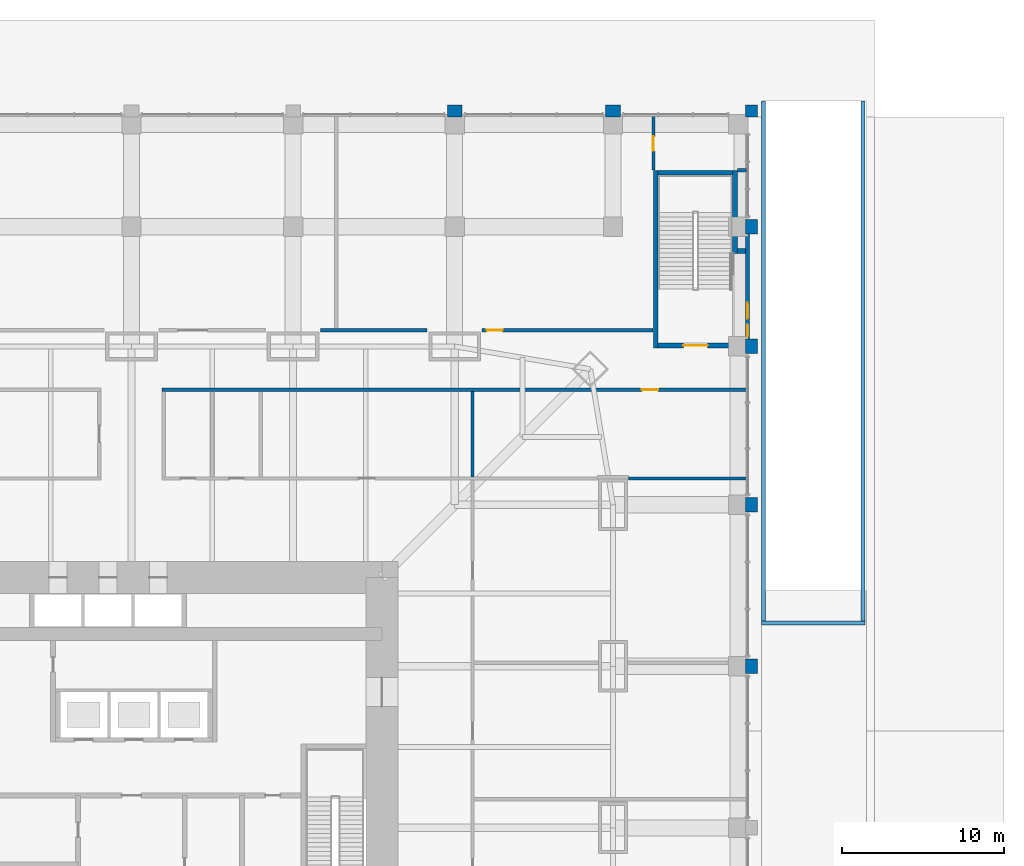
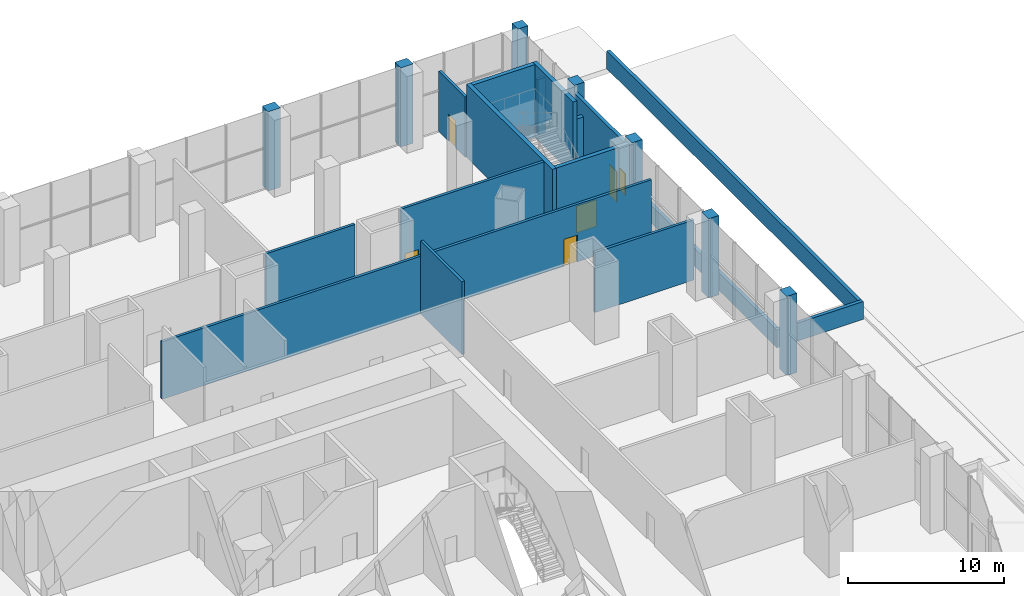
# One storey, part 27 of 31: 23 walls, 5 doors, 1 window, 6 openings.
"""IFC4 building model written with IfcOpenShell, lengths in metres."""

from ifc_helpers import new_model, si_unit, direction, frame, frame_2d, origin, place, context, subcontext, project, spatial, rectangle, extrude, material, layer, layer_set, type_object, element, fill, save


model = new_model("IFC4")

# Units and contexts
model_context = context("Model", 3, precision=1e-05, world=origin(), true_north=direction((0.0, 1.0)))
body_context = subcontext(model_context, "Body", "Model", "MODEL_VIEW")
ifc_project = project(units=[si_unit("LENGTHUNIT", "METRE"), si_unit("AREAUNIT", "SQUARE_METRE"), si_unit("VOLUMEUNIT", "CUBIC_METRE"), si_unit("PLANEANGLEUNIT", "RADIAN"), si_unit("MASSUNIT", "GRAM", prefix="KILO")], contexts=[model_context])

# Site, building, storey
site_placement = place(None, origin())
site = spatial("IfcSite", under=ifc_project, at=site_placement, CompositionType="ELEMENT")
building_placement = place(site_placement, origin())
building = spatial("IfcBuilding", under=site, at=building_placement, Name="Khuree Lantern Residences", CompositionType="ELEMENT")
storey_placement = place(building_placement, origin())
storey = spatial("IfcBuildingStorey", under=building, at=storey_placement, Name="L00", CompositionType="ELEMENT", Elevation=0.0)

# Walls
ifc_material_1 = material(Name="Dense concrete blockwork", Category="masonry")
ifc_layer_1 = layer(ifc_material_1, 0.300048828125)
ifc_layer_set_1 = layer_set([ifc_layer_1], Name="CORE PARTITION WALL CPW300 EI 120")
wall_type_1 = type_object("IfcWallType", Name="CORE PARTITION WALL CPW300 EI 120", PredefinedType="PARTITIONING", material=ifc_layer_set_1)
wall_1_placement = place(storey_placement, frame((38.0, 35.7060546875, 0.0), z_axis=(0.0, 0.0, 1.0), x_axis=(-1.0, 0.0, 0.0)))
element("IfcWall", 1, at=wall_1_placement, inside=storey, type_object=wall_type_1, Name="L00 STAIR ST4 WALL X", PredefinedType="PARTITIONING", context=body_context, shape_type="SweptSolid", body=[
    extrude(rectangle(XDim=0.5, YDim=0.300048828125, at=frame_2d((0.25, 0.0))), origin(), (0.0, 0.0, 1.0), 4.27001953125),
])
ifc_material_2 = material(Name="Flamed granite cladding on blockwork", Category="masonry")
ifc_layer_2 = layer(ifc_material_2, 0.75)
ifc_layer_set_2 = layer_set([ifc_layer_2], Name="PODIUM PIER PR1 900X750")
wall_type_2 = type_object("IfcWallType", Name="PODIUM PIER PR1 900X750", PredefinedType="SOLIDWALL", material=ifc_layer_set_2)
for number, where, z_axis, x_axis, name in (
    (2, (38.375, 9.550048828125, -0.199951171875), (0.0, 0.0, 1.0), (0.0, 1.0, 0.0), "L00 EAST FACE PIER 4"),
    (3, (38.375, 19.550048828125, -0.199951171875), (0.0, 0.0, 1.0), (0.0, 1.0, 0.0), "L00 EAST FACE PIER 5"),
    (4, (38.375, 29.35009765625, -0.199951171875), (0.0, 0.0, 1.0), (0.0, 1.0, 0.0), "L00 EAST FACE PIER 6"),
    (5, (38.375, 36.75, -0.199951171875), (0.0, 0.0, 1.0), (0.0, 1.0, 0.0), "L00 EAST FACE PIER 7"),
):
    element("IfcWall", number, at=place(storey_placement, frame(where, z_axis=z_axis, x_axis=x_axis)), inside=storey, type_object=wall_type_2, Name=name, PredefinedType="SOLIDWALL", context=body_context, shape_type="SweptSolid", body=[
        extrude(rectangle(XDim=0.89990234375, YDim=0.75, at=frame_2d((0.449951171875, 0.0))), origin(), (0.0, 0.0, 1.0), 6.199951171875),
    ])
wall_2_placement = place(storey_placement, frame((38.375, 44.0, -0.199951171875), z_axis=(0.0, 0.0, 1.0), x_axis=(0.0, 1.0, 0.0)))
element("IfcWall", 6, at=wall_2_placement, inside=storey, type_object=wall_type_2, Name="L00 EAST FACE PIER 8", PredefinedType="SOLIDWALL", context=body_context, shape_type="SweptSolid", body=[
    extrude(rectangle(XDim=0.75, YDim=0.75, at=frame_2d((0.375, 0.0))), origin(), (0.0, 0.0, 1.0), 6.199951171875),
])
for number, where, z_axis, x_axis, name in (
    (7, (30.25, 44.375, -0.199951171875), (0.0, 0.0, 1.0), (-1.0, 0.0, 0.0), "L00 NORTH FACE PIER 1"),
    (8, (20.449951171875, 44.375, -0.199951171875), (0.0, 0.0, 1.0), (-1.0, 0.0, 0.0), "L00 NORTH FACE PIER 2"),
):
    element("IfcWall", number, at=place(storey_placement, frame(where, z_axis=z_axis, x_axis=x_axis)), inside=storey, type_object=wall_type_2, Name=name, PredefinedType="SOLIDWALL", context=body_context, shape_type="SweptSolid", body=[
        extrude(rectangle(XDim=0.89990234375, YDim=0.75, at=frame_2d((0.449951171875, 0.0))), origin(), (0.0, 0.0, 1.0), 6.199951171875),
    ])

# Wall, openings, door, window
ifc_layer_3 = layer(ifc_material_2, 0.25)
ifc_layer_set_3 = layer_set([ifc_layer_3], Name="PODIUM STONE WALL SW1 250")
wall_type_3 = type_object("IfcWallType", Name="PODIUM STONE WALL SW1 250", PredefinedType="SOLIDWALL", material=ifc_layer_set_3)
wall_3_placement = place(storey_placement, frame((38.125, 30.25, -0.199951171875), z_axis=(0.0, 0.0, 1.0), x_axis=(0.0, 1.0, 0.0)))
wall_3 = element("IfcWall", 9, at=wall_3_placement, inside=storey, type_object=wall_type_3, Name="L00 EAST FACE BAY 7 STONE WALL", PredefinedType="SOLIDWALL", context=body_context, shape_type="SweptSolid", body=[
    extrude(rectangle(XDim=6.5, YDim=0.25, at=frame_2d((3.25, 0.0))), origin(), (0.0, 0.0, 1.0), 5.599853515625),
])
opening_1_placement = place(wall_3_placement, frame((0.14990234375, 0.0, 1.39990234375)))
opening_1 = element("IfcOpeningElement", 10, at=opening_1_placement, cuts=wall_3, Name="Opening L00-W01", PredefinedType="OPENING", context=body_context, shape_type="SweptSolid", body=[
    extrude(rectangle(XDim=0.75, YDim=1.699951171875, at=frame_2d((0.375, 0.85009765625))), frame((0.0, 0.135009765625, 0.0), z_axis=(0.0, -1.0, 0.0), x_axis=(1.0, 0.0, 0.0)), (0.0, 0.0, 1.0), 0.27001953125),
])
opening_2_placement = place(wall_3_placement, frame((2.25, 0.0, 0.199951171875), z_axis=(0.0, 0.0, 1.0), x_axis=(-1.0, 0.0, 0.0)))
opening_2 = element("IfcOpeningElement", 11, at=opening_2_placement, cuts=wall_3, Name="Opening 00-E07", PredefinedType="OPENING", context=body_context, shape_type="SweptSolid", body=[
    extrude(rectangle(XDim=1.0, YDim=2.39990234375, at=frame_2d((0.5, 1.199951171875))), frame((0.0, 0.135009765625, 0.0), z_axis=(0.0, -1.0, 0.0), x_axis=(1.0, 0.0, 0.0)), (0.0, 0.0, 1.0), 0.27001953125),
])
ifc_material_3 = material(Name="Insulated steel door set, bronze anodised aluminium faced", Category="steel")
door_type_1 = type_object("IfcDoorType", Name="EXIT DOOR D-E2 1000X2400", OperationType="SINGLE_SWING_RIGHT", PredefinedType="DOOR", material=ifc_material_3)
door_1_placement = place(opening_2_placement, origin())
door_1 = element("IfcDoor", 12, at=door_1_placement, inside=storey, type_object=door_type_1, Name="L00 EAST FACE BAY 7 STAIR EXIT DOOR 00-E07", OperationType="SINGLE_SWING_LEFT", OverallHeight=2.39990234375, OverallWidth=1.0, PredefinedType="DOOR", context=body_context, shape_type="SweptSolid", body=[
    extrude(rectangle(XDim=1.0, YDim=2.39990234375, at=frame_2d((0.5, 1.199951171875))), frame((0.0, 0.02490234375, 0.0), z_axis=(0.0, -1.0, 0.0), x_axis=(1.0, 0.0, 0.0)), (0.0, 0.0, 1.0), 0.050048828125),
])
fill(opening_2, door_1)
ifc_material_4 = material(Name="Aluminium frame, triple glazing", Category="aluminium")
window_type = type_object("IfcWindowType", Name="STAIR WINDOW W1 750X1700", PartitioningType="SINGLE_PANEL", PredefinedType="WINDOW", material=ifc_material_4)
window_placement = place(opening_1_placement, origin())
window = element("IfcWindow", 13, at=window_placement, inside=storey, type_object=window_type, Name="Stair ST4 window L00-W01", OverallHeight=1.699951171875, OverallWidth=0.75, PartitioningType="SINGLE_PANEL", PredefinedType="WINDOW", context=body_context, shape_type="SweptSolid", body=[
    extrude(rectangle(XDim=0.75, YDim=1.699951171875, at=frame_2d((0.375, 0.85009765625))), frame((0.0, 0.030029296875, 0.0), z_axis=(0.0, -1.0, 0.0), x_axis=(1.0, 0.0, 0.0)), (0.0, 0.0, 1.0), 0.06005859375),
])
fill(opening_1, window)

# Walls
ifc_material_5 = material(Name="Concrete C40/50", Category="concrete")
ifc_layer_4 = layer(ifc_material_5, 0.25)
ifc_layer_set_4 = layer_set([ifc_layer_4], Name="RAMP UPSTAND RU 250")
wall_type_4 = type_object("IfcWallType", Name="RAMP UPSTAND RU 250", PredefinedType="PARAPET", material=ifc_layer_set_4)
wall_4_placement = place(storey_placement, frame((39.0, 12.675048828125, -0.199951171875), z_axis=(0.0, 0.0, 1.0), x_axis=(1.0, 0.0, 0.0)))
element("IfcWall", 14, at=wall_4_placement, inside=storey, type_object=wall_type_4, Name="Ramp upstand S", PredefinedType="PARAPET", context=body_context, shape_type="SweptSolid", body=[
    extrude(rectangle(XDim=6.39990234375, YDim=0.25, at=frame_2d((3.199951171875, 0.0))), origin(), (0.0, 0.0, 1.0), 1.39990234375),
])
for number, where, z_axis, x_axis, name in (
    (15, (39.125, 12.800048828125, -0.199951171875), (0.0, 0.0, 1.0), (0.0, 1.0, 0.0), "Ramp upstand W"),
    (16, (45.27490234375, 12.800048828125, -0.199951171875), (0.0, 0.0, 1.0), (0.0, 1.0, 0.0), "Ramp upstand E"),
):
    element("IfcWall", number, at=place(storey_placement, frame(where, z_axis=z_axis, x_axis=x_axis)), inside=storey, type_object=wall_type_4, Name=name, PredefinedType="PARAPET", context=body_context, shape_type="SweptSolid", body=[
        extrude(rectangle(XDim=32.199951171875, YDim=0.25, at=frame_2d((16.10009765625, 0.0))), origin(), (0.0, 0.0, 1.0), 1.39990234375),
    ])
ifc_layer_5 = layer(ifc_material_1, 0.199951171875)
ifc_layer_set_5 = layer_set([ifc_layer_5], Name="ROOM WALL RMW200")
wall_type_5 = type_object("IfcWallType", Name="ROOM WALL RMW200", PredefinedType="SOLIDWALL", material=ifc_layer_set_5)
wall_5_placement = place(storey_placement, frame((30.75, 21.631103515625, 0.0), z_axis=(0.0, 0.0, 1.0), x_axis=(1.0, 0.0, 0.0)))
element("IfcWall", 17, at=wall_5_placement, inside=storey, type_object=wall_type_5, Name="L00 ROOM WALL 33", PredefinedType="SOLIDWALL", context=body_context, shape_type="SweptSolid", body=[
    extrude(rectangle(XDim=7.324951171875, YDim=0.199951171875, at=frame_2d((3.66259765625, 0.0))), origin(), (0.0, 0.0, 1.0), 4.699951171875),
])
wall_6_placement = place(storey_placement, frame((21.111083984375, 21.73095703125, 0.0), z_axis=(0.0, 0.0, 1.0), x_axis=(0.0, 1.0, 0.0)))
element("IfcWall", 18, at=wall_6_placement, inside=storey, type_object=wall_type_5, Name="L00 ROOM WALL 43", PredefinedType="SOLIDWALL", context=body_context, shape_type="SweptSolid", body=[
    extrude(rectangle(XDim=5.280029296875, YDim=0.199951171875, at=frame_2d((2.64013671875, 0.0))), origin(), (0.0, 0.0, 1.0), 5.699951171875),
])

# Wall, opening, door
wall_7_placement = place(storey_placement, frame((1.89990234375, 27.111083984375, 0.0), z_axis=(0.0, 0.0, 1.0), x_axis=(1.0, 0.0, 0.0)))
wall_7 = element("IfcWall", 19, at=wall_7_placement, inside=storey, type_object=wall_type_5, Name="L00 ROOM WALL 45", PredefinedType="SOLIDWALL", context=body_context, shape_type="SweptSolid", body=[
    extrude(rectangle(XDim=36.175048828125, YDim=0.199951171875, at=frame_2d((18.08740234375, 0.0))), origin(), (0.0, 0.0, 1.0), 4.5),
])
opening_3_placement = place(wall_7_placement, frame((29.69482421875, 0.0, 0.0)))
opening_3 = element("IfcOpeningElement", 20, at=opening_3_placement, cuts=wall_7, Name="Opening 00-047", PredefinedType="OPENING", context=body_context, shape_type="SweptSolid", body=[
    extrude(rectangle(XDim=1.0, YDim=2.10009765625, at=frame_2d((0.5, 1.050048828125))), frame((0.0, 0.10986328125, 0.0), z_axis=(0.0, -1.0, 0.0), x_axis=(1.0, 0.0, 0.0)), (0.0, 0.0, 1.0), 0.219970703125),
])
ifc_material_6 = material(Name="Timber door leaf in hardwood frame", Category="wood")
door_type_2 = type_object("IfcDoorType", Name="DOOR 1000X2100", OperationType="SINGLE_SWING_LEFT", PredefinedType="DOOR", material=ifc_material_6)
door_2_placement = place(opening_3_placement, origin())
door_2 = element("IfcDoor", 21, at=door_2_placement, inside=storey, type_object=door_type_2, Name="Laundry room door 00-047", OperationType="SINGLE_SWING_LEFT", OverallHeight=2.10009765625, OverallWidth=1.0, PredefinedType="DOOR", context=body_context, shape_type="SweptSolid", body=[
    extrude(rectangle(XDim=1.0, YDim=2.10009765625, at=frame_2d((0.5, 1.050048828125))), frame((0.0, 0.02490234375, 0.0), z_axis=(0.0, -1.0, 0.0), x_axis=(1.0, 0.0, 0.0)), (0.0, 0.0, 1.0), 0.050048828125),
])
fill(opening_3, door_2)

# Wall
wall_8_placement = place(storey_placement, frame((11.7001953125, 30.800048828125, 0.0), z_axis=(0.0, 0.0, 1.0), x_axis=(1.0, 0.0, 0.0)))
element("IfcWall", 22, at=wall_8_placement, inside=storey, type_object=wall_type_5, Name="L00 ROOM WALL 50", PredefinedType="SOLIDWALL", context=body_context, shape_type="SweptSolid", body=[
    extrude(rectangle(XDim=6.599609375, YDim=0.199951171875, at=frame_2d((3.2998046875, 0.0))), origin(), (0.0, 0.0, 1.0), 5.699951171875),
])

# Wall, opening, door
wall_9_placement = place(storey_placement, frame((21.7001953125, 30.800048828125, 0.0), z_axis=(0.0, 0.0, 1.0), x_axis=(1.0, 0.0, 0.0)))
wall_9 = element("IfcWall", 23, at=wall_9_placement, inside=storey, type_object=wall_type_5, Name="L00 ROOM WALL 51", PredefinedType="SOLIDWALL", context=body_context, shape_type="SweptSolid", body=[
    extrude(rectangle(XDim=10.579833984375, YDim=0.199951171875, at=frame_2d((5.2900390625, 0.0))), origin(), (0.0, 0.0, 1.0), 5.699951171875),
])
opening_4_placement = place(wall_9_placement, frame((0.2734375, 0.0, 0.0)))
opening_4 = element("IfcOpeningElement", 24, at=opening_4_placement, cuts=wall_9, Name="Opening 00-055", PredefinedType="OPENING", context=body_context, shape_type="SweptSolid", body=[
    extrude(rectangle(XDim=1.0, YDim=2.10009765625, at=frame_2d((0.5, 1.050048828125))), frame((0.0, 0.10986328125, 0.0), z_axis=(0.0, -1.0, 0.0), x_axis=(1.0, 0.0, 0.0)), (0.0, 0.0, 1.0), 0.219970703125),
])
door_3_placement = place(opening_4_placement, origin())
door_3 = element("IfcDoor", 25, at=door_3_placement, inside=storey, type_object=door_type_2, Name="Craft room door 00-055", OperationType="SINGLE_SWING_LEFT", OverallHeight=2.10009765625, OverallWidth=1.0, PredefinedType="DOOR", context=body_context, shape_type="SweptSolid", body=[
    extrude(rectangle(XDim=1.0, YDim=2.10009765625, at=frame_2d((0.5, 1.050048828125))), frame((0.0, 0.02490234375, 0.0), z_axis=(0.0, -1.0, 0.0), x_axis=(1.0, 0.0, 0.0)), (0.0, 0.0, 1.0), 0.050048828125),
])
fill(opening_4, door_3)

# Wall
wall_10_placement = place(storey_placement, frame((37.52001953125, 40.699951171875, 0.0), z_axis=(0.0, 0.0, 1.0), x_axis=(1.0, 0.0, 0.0)))
element("IfcWall", 26, at=wall_10_placement, inside=storey, type_object=wall_type_5, Name="L00 ROOM WALL 55", PredefinedType="SOLIDWALL", context=body_context, shape_type="SweptSolid", body=[
    extrude(rectangle(XDim=0.554931640625, YDim=0.199951171875, at=frame_2d((0.27734375, 0.0))), origin(), (0.0, 0.0, 1.0), 4.27001953125),
])

# Wall, opening, door
wall_11_placement = place(storey_placement, frame((32.300048828125, 40.719970703125, 0.0), z_axis=(0.0, 0.0, 1.0), x_axis=(0.0, 1.0, 0.0)))
wall_11 = element("IfcWall", 27, at=wall_11_placement, inside=storey, type_object=wall_type_5, Name="L00 ROOM WALL 57", PredefinedType="SOLIDWALL", context=body_context, shape_type="SweptSolid", body=[
    extrude(rectangle(XDim=3.35498046875, YDim=0.199951171875, at=frame_2d((1.677490234375, 0.0))), origin(), (0.0, 0.0, 1.0), 4.699951171875),
])
opening_5_placement = place(wall_11_placement, frame((1.179931640625, 0.0, 0.0)))
opening_5 = element("IfcOpeningElement", 28, at=opening_5_placement, cuts=wall_11, Name="Opening 00-056", PredefinedType="OPENING", context=body_context, shape_type="SweptSolid", body=[
    extrude(rectangle(XDim=0.89990234375, YDim=2.10009765625, at=frame_2d((0.449951171875, 1.050048828125))), frame((0.0, 0.10986328125, 0.0), z_axis=(0.0, -1.0, 0.0), x_axis=(1.0, 0.0, 0.0)), (0.0, 0.0, 1.0), 0.219970703125),
])
door_type_3 = type_object("IfcDoorType", Name="WC DOOR 900X2100", OperationType="SINGLE_SWING_LEFT", PredefinedType="DOOR", material=ifc_material_6)
door_4_placement = place(opening_5_placement, origin())
door_4 = element("IfcDoor", 29, at=door_4_placement, inside=storey, type_object=door_type_3, Name="Cleaner's store door 00-056", OperationType="SINGLE_SWING_LEFT", OverallHeight=2.10009765625, OverallWidth=0.89990234375, PredefinedType="DOOR", context=body_context, shape_type="SweptSolid", body=[
    extrude(rectangle(XDim=0.89990234375, YDim=2.10009765625, at=frame_2d((0.449951171875, 1.050048828125))), frame((0.0, 0.02490234375, 0.0), z_axis=(0.0, -1.0, 0.0), x_axis=(1.0, 0.0, 0.0)), (0.0, 0.0, 1.0), 0.050048828125),
])
fill(opening_5, door_4)

# Wall
ifc_material_7 = material(Name="Concrete C50/60", Category="concrete")
ifc_layer_6 = layer(ifc_material_7, 0.300048828125)
ifc_layer_set_6 = layer_set([ifc_layer_6], Name="STAIR WALL SRW300 C50/60 REI 240")
wall_type_6 = type_object("IfcWallType", Name="STAIR WALL SRW300 C50/60 REI 240", PredefinedType="SOLIDWALL", material=ifc_layer_set_6)
wall_12_placement = place(storey_placement, frame((37.35009765625, 35.555908203125, 0.0), z_axis=(0.0, 0.0, 1.0), x_axis=(0.0, 1.0, 0.0)))
element("IfcWall", 30, at=wall_12_placement, inside=storey, type_object=wall_type_6, Name="L00 STAIR ST4 WALL O", PredefinedType="SOLIDWALL", context=body_context, shape_type="SweptSolid", body=[
    extrude(rectangle(XDim=5.14404296875, YDim=0.300048828125, at=frame_2d((2.572021484375, 0.0))), origin(), (0.0, 0.0, 1.0), 5.699951171875),
])

# Wall, opening, door
wall_13_placement = place(storey_placement, frame((38.0, 29.85009765625, 0.0), z_axis=(0.0, 0.0, 1.0), x_axis=(-1.0, 0.0, 0.0)))
wall_13 = element("IfcWall", 31, at=wall_13_placement, inside=storey, type_object=wall_type_6, Name="L00 STAIR ST4 WALL S", PredefinedType="SOLIDWALL", context=body_context, shape_type="SweptSolid", body=[
    extrude(rectangle(XDim=5.39990234375, YDim=0.300048828125, at=frame_2d((2.699951171875, 0.0))), origin(), (0.0, 0.0, 1.0), 5.699951171875),
])
opening_6_placement = place(wall_13_placement, frame((2.35009765625, 0.0, 0.0)))
opening_6 = element("IfcOpeningElement", 32, at=opening_6_placement, cuts=wall_13, Name="Opening 00-030", PredefinedType="OPENING", context=body_context, shape_type="SweptSolid", body=[
    extrude(rectangle(XDim=1.5, YDim=2.10009765625, at=frame_2d((0.75, 1.050048828125))), frame((0.0, 0.16015625, 0.0), z_axis=(0.0, -1.0, 0.0), x_axis=(1.0, 0.0, 0.0)), (0.0, 0.0, 1.0), 0.320068359375),
])
ifc_material_8 = material(Name="Steel door leaf in steel frame", Category="steel")
door_type_4 = type_object("IfcDoorType", Name="STAIR DOOR 1500X2100 EI 120", OperationType="DOUBLE_DOOR_SINGLE_SWING", PredefinedType="DOOR", material=ifc_material_8)
door_5_placement = place(opening_6_placement, origin())
door_5 = element("IfcDoor", 33, at=door_5_placement, inside=storey, type_object=door_type_4, Name="Stair ST4 door 00-030", OperationType="DOUBLE_DOOR_SINGLE_SWING", OverallHeight=2.10009765625, OverallWidth=1.5, PredefinedType="DOOR", context=body_context, shape_type="SweptSolid", body=[
    extrude(rectangle(XDim=1.5, YDim=2.10009765625, at=frame_2d((0.75, 1.050048828125))), frame((0.0, 0.02490234375, 0.0), z_axis=(0.0, -1.0, 0.0), x_axis=(1.0, 0.0, 0.0)), (0.0, 0.0, 1.0), 0.050048828125),
])
fill(opening_6, door_5)

# Walls
wall_14_placement = place(storey_placement, frame((32.449951171875, 29.699951171875, 0.0), z_axis=(0.0, 0.0, 1.0), x_axis=(0.0, 1.0, 0.0)))
element("IfcWall", 34, at=wall_14_placement, inside=storey, type_object=wall_type_6, Name="L00 STAIR ST4 WALL I", PredefinedType="SOLIDWALL", context=body_context, shape_type="SweptSolid", body=[
    extrude(rectangle(XDim=11.0, YDim=0.300048828125, at=frame_2d((5.5, 0.0))), origin(), (0.0, 0.0, 1.0), 5.699951171875),
])
wall_15_placement = place(storey_placement, frame((37.199951171875, 40.550048828125, 0.0), z_axis=(0.0, 0.0, 1.0), x_axis=(-1.0, 0.0, 0.0)))
element("IfcWall", 35, at=wall_15_placement, inside=storey, type_object=wall_type_6, Name="L00 STAIR ST4 WALL N", PredefinedType="SOLIDWALL", context=body_context, shape_type="SweptSolid", body=[
    extrude(rectangle(XDim=4.599853515625, YDim=0.300048828125, at=frame_2d((2.2998046875, 0.0))), origin(), (0.0, 0.0, 1.0), 5.699951171875),
])

save(model, "model.ifc")
